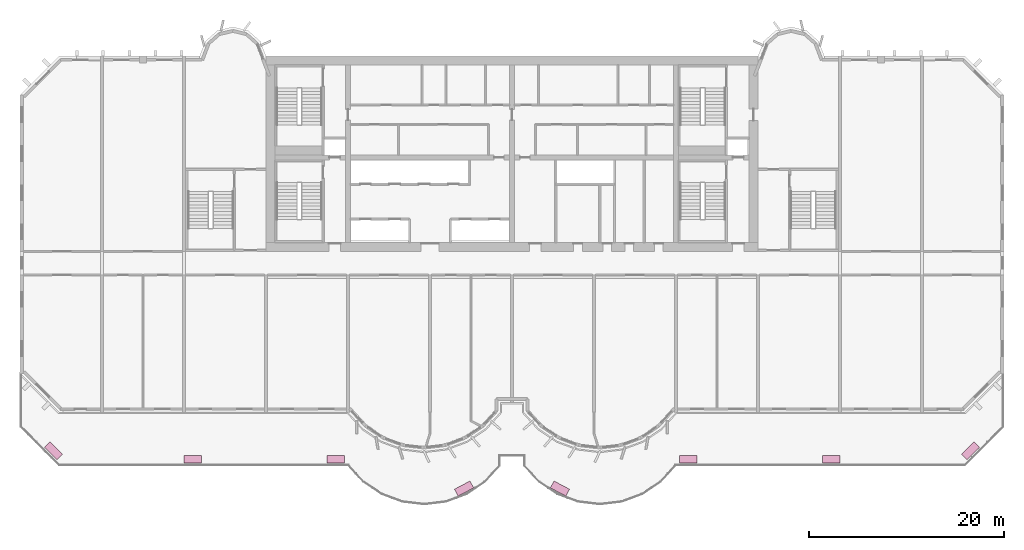
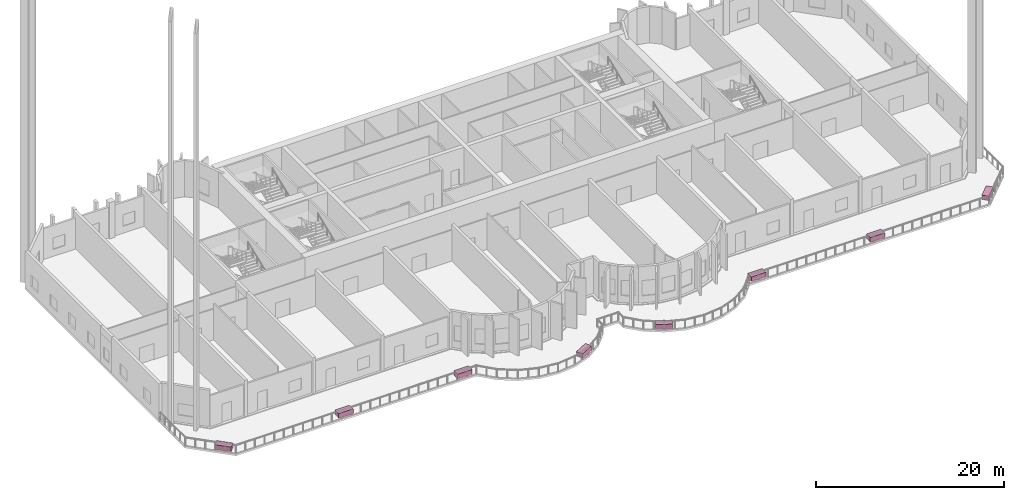
# One storey, part 13 of 13: 8 furniture elements.
"""IFC4 building model written with IfcOpenShell, lengths in metres."""

from ifc_helpers import new_model, si_unit, direction, frame, origin, origin_2d, place, context, subcontext, project, spatial, rectangle, extrude, source, transform, mapped, material, type_object, element, save


model = new_model("IFC4")

# Units and contexts
model_context = context("Model", 3, precision=1e-05, world=origin(), true_north=direction((0.0, 1.0)))
body_context = subcontext(model_context, "Body", "Model", "MODEL_VIEW")
ifc_project = project(units=[si_unit("LENGTHUNIT", "METRE"), si_unit("AREAUNIT", "SQUARE_METRE"), si_unit("VOLUMEUNIT", "CUBIC_METRE"), si_unit("PLANEANGLEUNIT", "RADIAN"), si_unit("MASSUNIT", "GRAM", prefix="KILO")], contexts=[model_context])

# Site, building, storey
site_placement = place(None, origin())
site = spatial("IfcSite", under=ifc_project, at=site_placement, CompositionType="ELEMENT")
building_placement = place(site_placement, origin())
building = spatial("IfcBuilding", under=site, at=building_placement, Name="Vanashikhar Sky Hotel", CompositionType="ELEMENT")
storey_placement = place(building_placement, frame((0.0, 0.0, 86.39990234375)))
storey = spatial("IfcBuildingStorey", under=building, at=storey_placement, Name="L20", CompositionType="ELEMENT", Elevation=86.39990234375)

# Furniture
ifc_material = material(Name="Planting soil and shrubs")
furniture_type = type_object("IfcFurnitureType", Name="Planter trough", AssemblyPlace="NOTDEFINED", PredefinedType="USERDEFINED", material=ifc_material)
shared_shape = source(origin(), body_context, "Body", "SweptSolid", [
    extrude(rectangle(XDim=1.800048828125, YDim=0.800048828125, at=origin_2d()), origin(), (0.0, 0.0, 1.0), 0.60009765625),
])
for number, where, z_axis, x_axis, name in (
    (1, (97.373046875, 1.56591796875, -0.050048828125), (0.0, 0.0, 1.0), (-0.707106781187, -0.707106781187, 0.0), "PLANTER with shrubs"),
    (2, (83.102294921875, 0.701904296875, -0.050048828125), (0.0, 0.0, 1.0), (-1.0, 0.0, 0.0), "PLANTER with shrubs"),
    (3, (68.473388671875, 0.701904296875, -0.050048828125), (0.0, 0.0, 1.0), (-1.0, 0.0, 0.0), "PLANTER with shrubs"),
    (4, (55.3115234375, -2.293701171875, -0.050048828125), (0.0, 0.0, 1.0), (-0.88354502524, 0.468346227031, 0.0), "PLANTER with shrubs"),
    (5, (45.488525390625, -2.293701171875, -0.050048828125), (0.0, 0.0, 1.0), (-0.88354502524, -0.468346227031, 0.0), "PLANTER with shrubs"),
    (6, (32.326416015625, 0.701904296875, -0.050048828125), (0.0, 0.0, 1.0), (-1.0, 0.0, 0.0), "PLANTER with shrubs"),
    (7, (17.69775390625, 0.701904296875, -0.050048828125), (0.0, 0.0, 1.0), (-1.0, 0.0, 0.0), "PLANTER with shrubs"),
    (8, (3.427001953125, 1.56591796875, -0.050048828125), (0.0, 0.0, 1.0), (-0.707106781187, 0.707106781187, 0.0), "PLANTER with shrubs"),
):
    element("IfcFurniture", number, at=place(storey_placement, frame(where, z_axis=z_axis, x_axis=x_axis)), inside=storey, type_object=furniture_type, Name=name, ObjectType="PLANTER", PredefinedType="USERDEFINED", context=body_context, shape_type="MappedRepresentation", body=[
        mapped(shared_shape, transform((0.0, 0.0, 0.0), scale=1.0)),
    ])

save(model, "model.ifc")
